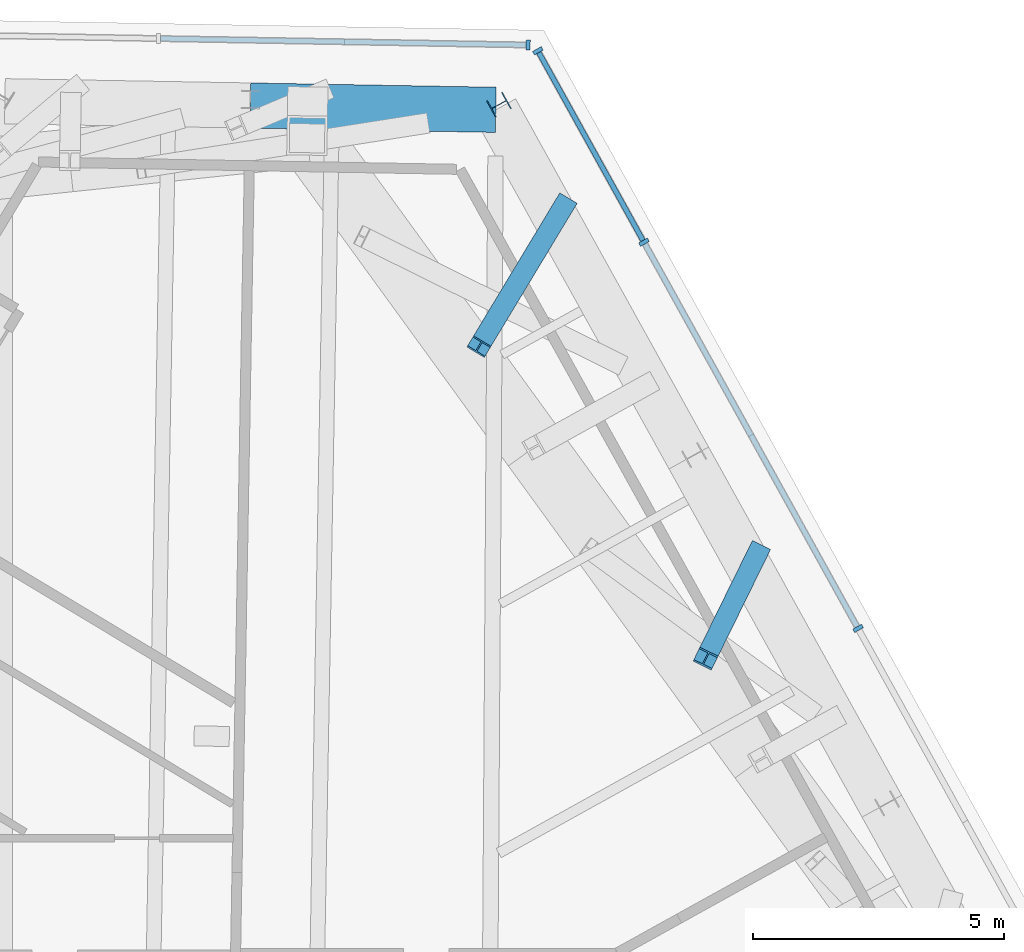
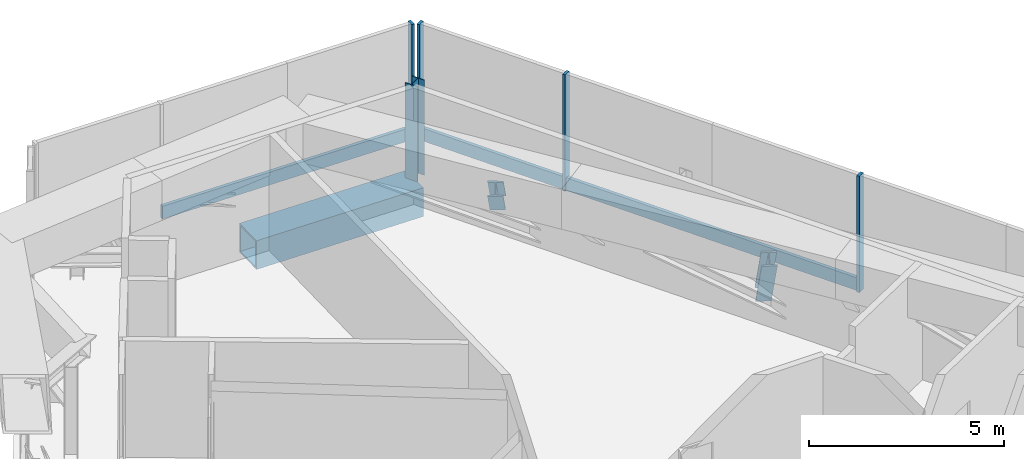
# One storey, part 9 of 28: 11 members, 2 elements without a shape of their own.
"""IFC4 building model written with IfcOpenShell, lengths in metres."""

from ifc_helpers import new_model, si_unit, direction, frame, origin, origin_2d, place, context, subcontext, project, spatial, rectangle, hollow_rectangle, i_section, extrude, source, transform, mapped, material, material_profile, profile_set, type_object, element, aggregate, save


model = new_model("IFC4")

# Units and contexts
model_context = context("Model", 3, precision=1e-05, world=origin(), true_north=direction((0.0, 1.0)))
body_context = subcontext(model_context, "Body", "Model", "MODEL_VIEW")
ifc_project = project(units=[si_unit("LENGTHUNIT", "METRE"), si_unit("AREAUNIT", "SQUARE_METRE"), si_unit("VOLUMEUNIT", "CUBIC_METRE"), si_unit("PLANEANGLEUNIT", "RADIAN"), si_unit("MASSUNIT", "GRAM", prefix="KILO")], contexts=[model_context])

# Site, building, storey
site_placement = place(None, origin())
site = spatial("IfcSite", under=ifc_project, at=site_placement, CompositionType="ELEMENT")
building_placement = place(site_placement, origin())
building = spatial("IfcBuilding", under=site, at=building_placement, Name="Triune Harvest Tower", CompositionType="ELEMENT")
storey_placement = place(building_placement, frame((0.0, 0.0, 215.89990234375)))
storey = spatial("IfcBuildingStorey", under=building, at=storey_placement, Name="L56", CompositionType="ELEMENT", Elevation=215.89990234375)

# Curtain wall, member
ifc_material_1 = material(Name="Aluminium bronze anodised", Category="aluminium")
curtain_wall_type = type_object("IfcCurtainWallType", Name="CW-5 Plant louvre wall", PredefinedType="NOTDEFINED", material=ifc_material_1)
curtain_wall_1_placement = place(storey_placement, origin())
curtain_wall_1 = element("IfcCurtainWall", 1, at=curtain_wall_1_placement, inside=storey, type_object=curtain_wall_type, Name="CW-5 B5-F1 L56 run 1301")
ifc_material_2 = material(Name="Aluminium bronze anodised", Category="aluminium")
ifc_material_profile_1 = material_profile(ifc_material_2, rectangle(XDim=0.10009765625, YDim=0.39990234375, at=origin_2d()), Name="TR-5 transom 100 x 400")
ifc_profile_set_1 = profile_set([ifc_material_profile_1], Name="Aluminium bronze anodised")
member_type_1 = type_object("IfcMemberType", Name="TR-5 transom 100 x 400", PredefinedType="USERDEFINED", material=ifc_profile_set_1)
member_1_placement = place(storey_placement, frame((8.346435546875, 27.592529296875, 0.2001953125), z_axis=(-0.48480423681, 0.874622691205, 0.0), x_axis=(-0.874622691205, -0.48480423681, 0.0)))
member_1 = element("IfcMember", 2, at=member_1_placement, type_object=member_type_1, Name="CW-5 transom B5-F1 1301.4", ObjectType="TRANSOM", PredefinedType="USERDEFINED", context=body_context, shape_type="SweptSolid", body=[
    extrude(rectangle(XDim=0.10009765625, YDim=0.39990234375, at=origin_2d()), origin(), (0.0, 0.0, 1.0), 4.27685546875),
])

# Members
ifc_material_3 = material(Name="Steel ASTM A992 Gr 50", Category="steel")
ifc_material_profile_2 = material_profile(ifc_material_3, i_section(OverallWidth=0.370849609375, OverallDepth=0.36328125, WebThickness=0.013427734375, FlangeThickness=0.021728515625, at=origin_2d()), Name="W14x109")
ifc_profile_set_2 = profile_set([ifc_material_profile_2], Name="Steel ASTM A992 Gr 50")
member_type_2 = type_object("IfcMemberType", Name="WP-5 Roof edge post W14x109", PredefinedType="POST", material=ifc_profile_set_2)
shared_shape_1 = source(origin(), body_context, "Body", "SweptSolid", [
    extrude(i_section(OverallWidth=0.370849609375, OverallDepth=0.36328125, WebThickness=0.013427734375, FlangeThickness=0.021728515625, at=origin_2d()), origin(), (0.0, 0.0, 1.0), 2.9755859375),
])
member_2_placement = place(storey_placement, frame((5.477783203125, 30.2958984375, -0.25), z_axis=(0.0, 0.0, 1.0), x_axis=(-0.484809620246, 0.874619707139, 0.0)))
element("IfcMember", 3, at=member_2_placement, inside=storey, type_object=member_type_2, Name="post/L56/W6", PredefinedType="POST", context=body_context, shape_type="MappedRepresentation", body=[
    mapped(shared_shape_1, transform((0.0, 0.0, 0.0), scale=1.0)),
])
ifc_material_4 = material(Name="Steel ASTM A572 Gr 50", Category="steel")
ifc_material_profile_3 = material_profile(ifc_material_4, hollow_rectangle(XDim=0.89990234375, YDim=0.89990234375, WallThickness=0.050048828125, at=origin_2d()), Name="Box 900x900x50")
ifc_profile_set_3 = profile_set([ifc_material_profile_3], Name="Steel ASTM A572 Gr 50")
member_type_3 = type_object("IfcMemberType", Name="TC-2 Belt truss chord Box 900x900x50", PredefinedType="CHORD", material=ifc_profile_set_3)
shared_shape_2 = source(origin(), body_context, "Body", "SweptSolid", [
    extrude(hollow_rectangle(XDim=0.89990234375, YDim=0.89990234375, WallThickness=0.050048828125, at=origin_2d()), origin(), (0.0, 0.0, 1.0), 4.88818359375),
])
member_3_placement = place(storey_placement, frame((5.416015625, 30.193115234375, -0.699951171875), z_axis=(-0.999848072246, 0.017430789611, 0.0), x_axis=(-0.017430789611, -0.999848072246, 0.0)))
element("IfcMember", 4, at=member_3_placement, inside=storey, type_object=member_type_3, Name="truss/L56/TCB7", PredefinedType="CHORD", context=body_context, shape_type="MappedRepresentation", body=[
    mapped(shared_shape_2, transform((0.0, 0.0, 0.0), scale=1.0)),
])
ifc_material_5 = material(Name="Steel ASTM A992 Gr 50", Category="steel")
ifc_material_profile_4 = material_profile(ifc_material_5, i_section(OverallWidth=0.40380859375, OverallDepth=0.406494140625, WebThickness=0.027099609375, FlangeThickness=0.043701171875, at=origin_2d()), Name="W14x233")
ifc_profile_set_4 = profile_set([ifc_material_profile_4], Name="Steel ASTM A992 Gr 50")
member_type_4 = type_object("IfcMemberType", Name="TD-3 Belt truss diagonal W14x233", PredefinedType="BRACE", material=ifc_profile_set_4)
shared_shape_3 = source(origin(), body_context, "Body", "SweptSolid", [
    extrude(i_section(OverallWidth=0.40380859375, OverallDepth=0.406494140625, WebThickness=0.027099609375, FlangeThickness=0.043701171875, at=origin_2d()), origin(), (0.0, 0.0, 1.0), 3.62890625),
])
member_4_placement = place(storey_placement, frame((10.638671875, 21.39013671875, -0.324951171875), z_axis=(-0.287882449866, -0.585520205932, 0.757819096819), x_axis=(0.897397490007, -0.441223010426, 0.0)))
element("IfcMember", 5, at=member_4_placement, inside=storey, type_object=member_type_4, Name="truss/L56/TD10", PredefinedType="BRACE", context=body_context, shape_type="MappedRepresentation", body=[
    mapped(shared_shape_3, transform((0.0, 0.0, 0.0), scale=1.0)),
])
shared_shape_4 = source(origin(), body_context, "Body", "SweptSolid", [
    extrude(i_section(OverallWidth=0.40380859375, OverallDepth=0.406494140625, WebThickness=0.027099609375, FlangeThickness=0.043701171875, at=origin_2d()), origin(), (0.0, 0.0, 1.0), 4.312744140625),
])
member_5_placement = place(storey_placement, frame((6.79541015625, 28.323486328125, -0.324951171875), z_axis=(-0.397684243815, -0.659731270807, 0.637653426667), x_axis=(0.856434179752, -0.516256230715, 0.0)))
element("IfcMember", 6, at=member_5_placement, inside=storey, type_object=member_type_4, Name="truss/L56/TD12", PredefinedType="BRACE", context=body_context, shape_type="MappedRepresentation", body=[
    mapped(shared_shape_4, transform((0.0, 0.0, 0.0), scale=1.0)),
])

# Member
ifc_material_6 = material(Name="Aluminium bronze anodised", Category="aluminium")
ifc_material_profile_5 = material_profile(ifc_material_6, rectangle(XDim=0.199951171875, YDim=0.080078125, at=origin_2d()), Name="MU-5 mullion 80 x 200")
ifc_profile_set_5 = profile_set([ifc_material_profile_5], Name="Aluminium bronze anodised")
member_type_5 = type_object("IfcMemberType", Name="MU-5 mullion 80 x 200", PredefinedType="MULLION", material=ifc_profile_set_5)
shared_shape_5 = source(origin(), body_context, "Body", "SweptSolid", [
    extrude(rectangle(XDim=0.199951171875, YDim=0.080078125, at=origin_2d()), origin(), (0.0, 0.0, 1.0), 3.64013671875),
])
member_6_placement = place(storey_placement, frame((12.629150390625, 19.8662109375, 0.0), z_axis=(0.0, 0.0, 1.0), x_axis=(-0.874620631272, -0.484807953064, 0.0)))
member_6 = element("IfcMember", 7, at=member_6_placement, type_object=member_type_5, Name="CW-5 mullion B5-F1 1301.5", PredefinedType="MULLION", context=body_context, shape_type="MappedRepresentation", body=[
    mapped(shared_shape_5, transform((0.0, 0.0, 0.0), scale=1.0)),
])

member_7_placement = place(storey_placement, frame((8.36572265625, 27.5576171875, 0.0), z_axis=(0.0, 0.0, 1.0), x_axis=(-0.874620631272, -0.484807953064, 0.0)))
member_7 = element("IfcMember", 8, at=member_7_placement, type_object=member_type_5, Name="CW-5 mullion B5-F1 1301.7", PredefinedType="MULLION", context=body_context, shape_type="MappedRepresentation", body=[
    mapped(shared_shape_5, transform((0.0, 0.0, 0.0), scale=1.0)),
])

member_8_placement = place(storey_placement, frame((6.25341796875, 31.3681640625, 0.0), z_axis=(0.0, 0.0, 1.0), x_axis=(-0.874620631272, -0.484807953064, 0.0)))
member_8 = element("IfcMember", 9, at=member_8_placement, type_object=member_type_5, Name="CW-5 mullion B5-F1 1301.8", PredefinedType="MULLION", context=body_context, shape_type="MappedRepresentation", body=[
    mapped(shared_shape_5, transform((0.0, 0.0, 0.0), scale=1.0)),
])

# Curtain wall, member
curtain_wall_2_placement = place(storey_placement, origin())
curtain_wall_2 = element("IfcCurtainWall", 10, at=curtain_wall_2_placement, inside=storey, type_object=curtain_wall_type, Name="CW-5 B5-F2 L56 run 1")
member_9_placement = place(storey_placement, frame((6.060546875, 31.484130859375, 0.0), z_axis=(0.0, 0.0, 1.0), x_axis=(-0.017446318452, -0.999847801404, 0.0)))
member_9 = element("IfcMember", 11, at=member_9_placement, type_object=member_type_5, Name="CW-5 mullion B5-F2 1.1", PredefinedType="MULLION", context=body_context, shape_type="MappedRepresentation", body=[
    mapped(shared_shape_5, transform((0.0, 0.0, 0.0), scale=1.0)),
])

# Member
shared_shape_6 = source(origin(), body_context, "Body", "SweptSolid", [
    extrude(rectangle(XDim=0.10009765625, YDim=0.39990234375, at=origin_2d()), origin(), (0.0, 0.0, 1.0), 8.7138671875),
])
member_10_placement = place(storey_placement, frame((12.609619140625, 19.9013671875, 0.2001953125), z_axis=(-0.484791066944, 0.874629991146, 0.0), x_axis=(-0.874629991146, -0.484791066944, 0.0)))
member_10 = element("IfcMember", 12, at=member_10_placement, type_object=member_type_1, Name="CW-5 transom B5-F1 1301.3", ObjectType="TRANSOM", PredefinedType="USERDEFINED", context=body_context, shape_type="MappedRepresentation", body=[
    mapped(shared_shape_6, transform((0.0, 0.0, 0.0), scale=1.0)),
])

aggregate(curtain_wall_1, [member_6, member_7, member_8, member_10, member_1])

shared_shape_7 = source(origin(), body_context, "Body", "SweptSolid", [
    extrude(rectangle(XDim=0.10009765625, YDim=0.39990234375, at=origin_2d()), origin(), (0.0, 0.0, 1.0), 7.2802734375),
])
member_11_placement = place(storey_placement, frame((6.0205078125, 31.48486328125, 0.2001953125), z_axis=(-0.999847942446, 0.017438233442, 0.0), x_axis=(-0.017438233442, -0.999847942446, 0.0)))
member_11 = element("IfcMember", 13, at=member_11_placement, type_object=member_type_1, Name="CW-5 transom B5-F2 1.1", ObjectType="TRANSOM", PredefinedType="USERDEFINED", context=body_context, shape_type="MappedRepresentation", body=[
    mapped(shared_shape_7, transform((0.0, 0.0, 0.0), scale=1.0)),
])

aggregate(curtain_wall_2, [member_9, member_11])

save(model, "model.ifc")
